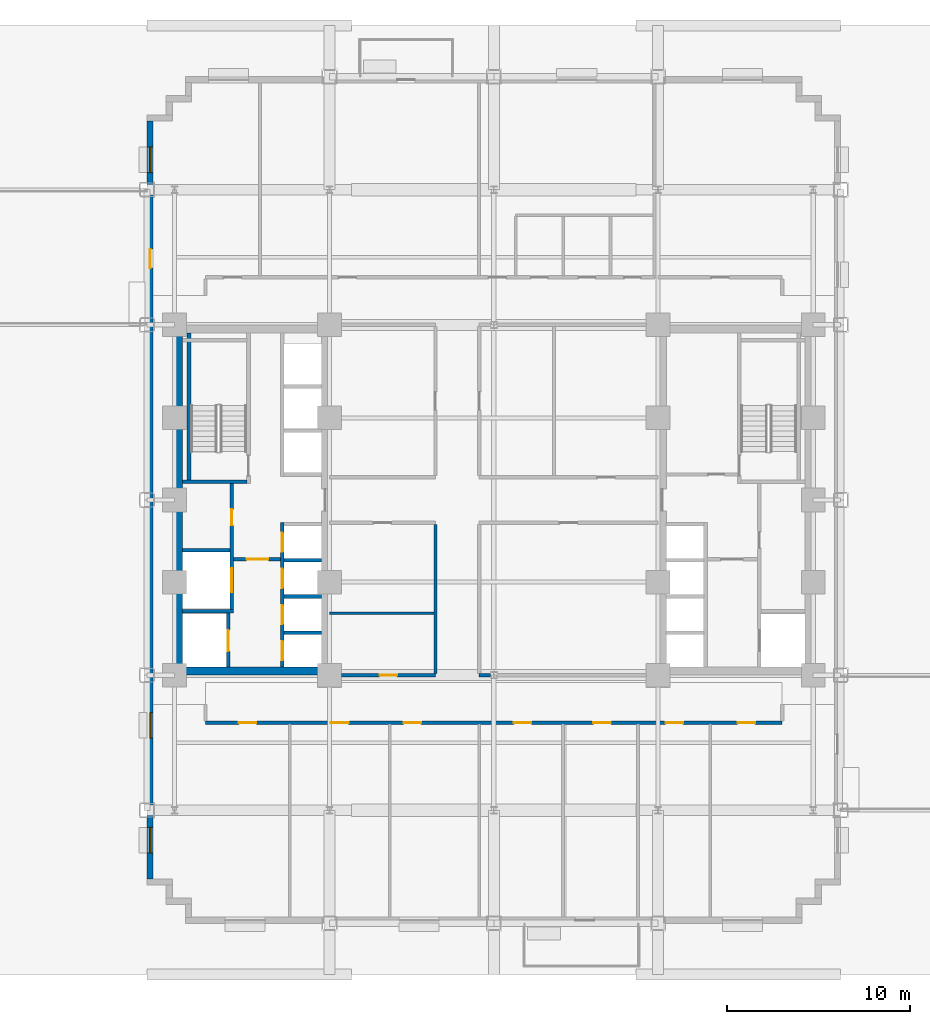
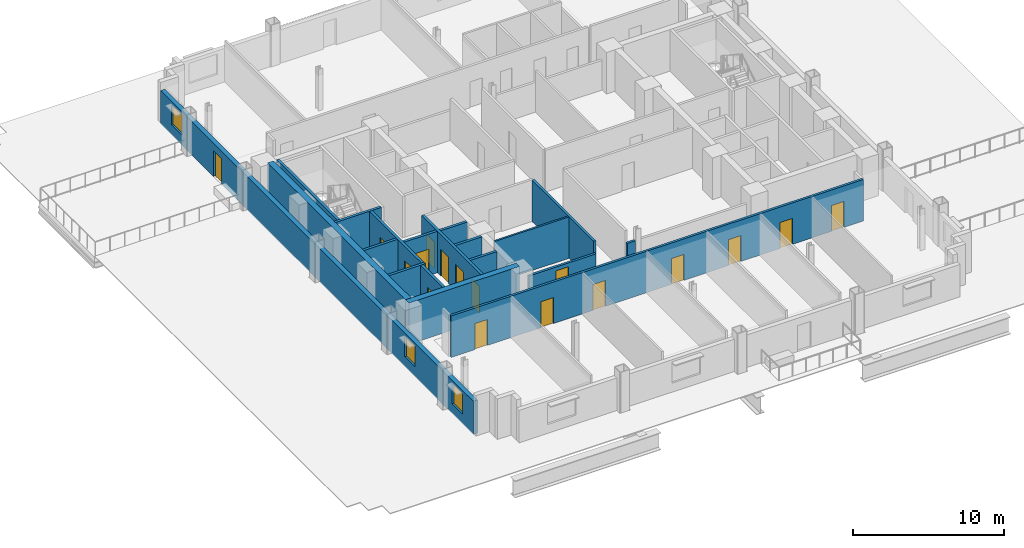
# One storey, part 5 of 13: 19 walls, 17 doors, 3 windows, 20 openings.
"""IFC4 building model written with IfcOpenShell, lengths in metres."""

from ifc_helpers import new_model, si_unit, direction, frame, frame_2d, origin, place, context, subcontext, project, spatial, rectangle, extrude, source, transform, mapped, material, layer, layer_set, type_object, type_shapes, element, fill, save


model = new_model("IFC4")

# Units and contexts
model_context = context("Model", 3, precision=1e-05, world=origin(), true_north=direction((0.0, 1.0)))
body_context = subcontext(model_context, "Body", "Model", "MODEL_VIEW")
ifc_project = project(units=[si_unit("LENGTHUNIT", "METRE"), si_unit("AREAUNIT", "SQUARE_METRE"), si_unit("VOLUMEUNIT", "CUBIC_METRE"), si_unit("PLANEANGLEUNIT", "RADIAN"), si_unit("MASSUNIT", "GRAM", prefix="KILO")], contexts=[model_context])

# Site, building, storey
site_placement = place(None, origin())
site = spatial("IfcSite", under=ifc_project, at=site_placement, CompositionType="ELEMENT")
building_placement = place(site_placement, origin())
building = spatial("IfcBuilding", under=site, at=building_placement, Name="Nuvemarco Arch Tower", CompositionType="ELEMENT")
storey_placement = place(building_placement, frame((0.0, 0.0, 27.60009765625)))
storey = spatial("IfcBuildingStorey", under=building, at=storey_placement, Name="L06", CompositionType="ELEMENT", Elevation=27.60009765625)

# Wall, openings, door, windows
ifc_material_1 = material(Name="Precast concrete C45/55", Category="concrete")
ifc_layer_1 = layer(ifc_material_1, 0.340087890625, Name="EW-LOW-340")
ifc_layer_set_1 = layer_set([ifc_layer_1], Name="Precast concrete C45/55")
wall_type_1 = type_object("IfcWallType", Name="EW-LOW-340", PredefinedType="STANDARD", material=ifc_layer_set_1)
wall_1_placement = place(storey_placement, frame((-18.830078125, -20.763916015625, 0.0), z_axis=(0.0, 0.0, 1.0), x_axis=(0.0, 1.0, 0.0)))
wall_1 = element("IfcWall", 1, at=wall_1_placement, inside=storey, type_object=wall_type_1, Name="L06 exterior precast facade wall 16", PredefinedType="STANDARD", context=body_context, shape_type="SweptSolid", body=[
    extrude(rectangle(XDim=41.52783203125, YDim=0.340087890625, at=frame_2d((20.763916015625, 0.0))), origin(), (0.0, 0.0, 1.0), 2.704833984375),
])
opening_1_placement = place(wall_1_placement, frame((33.464111328125, 0.0, 0.0)))
opening_1 = element("IfcOpeningElement", 2, at=opening_1_placement, cuts=wall_1, Name="Opening ED-5", PredefinedType="OPENING", context=body_context, shape_type="SweptSolid", body=[
    extrude(rectangle(XDim=1.050048828125, YDim=2.10009765625, at=frame_2d((0.52490234375, 1.050048828125))), frame((0.0, 0.179931640625, 0.0), z_axis=(0.0, -1.0, 0.0), x_axis=(1.0, 0.0, 0.0)), (0.0, 0.0, 1.0), 0.360107421875),
])
opening_2_placement = place(wall_1_placement, frame((1.42041015625, 0.0, 0.800048828125)))
opening_2 = element("IfcOpeningElement", 3, at=opening_2_placement, cuts=wall_1, Name="Opening WN-4", PredefinedType="OPENING", context=body_context, shape_type="SweptSolid", body=[
    extrude(rectangle(XDim=1.39990234375, YDim=1.64990234375, at=frame_2d((0.699951171875, 0.824951171875))), frame((0.0, 0.179931640625, 0.0), z_axis=(0.0, -1.0, 0.0), x_axis=(1.0, 0.0, 0.0)), (0.0, 0.0, 1.0), 0.360107421875),
])
opening_3_placement = place(wall_1_placement, frame((7.71142578125, 0.0, 0.800048828125)))
opening_3 = element("IfcOpeningElement", 4, at=opening_3_placement, cuts=wall_1, Name="Opening WN-4", PredefinedType="OPENING", context=body_context, shape_type="SweptSolid", body=[
    extrude(rectangle(XDim=1.39990234375, YDim=1.64990234375, at=frame_2d((0.699951171875, 0.824951171875))), frame((0.0, 0.179931640625, 0.0), z_axis=(0.0, -1.0, 0.0), x_axis=(1.0, 0.0, 0.0)), (0.0, 0.0, 1.0), 0.360107421875),
])
opening_4_placement = place(wall_1_placement, frame((38.70751953125, 0.0, 0.800048828125)))
opening_4 = element("IfcOpeningElement", 5, at=opening_4_placement, cuts=wall_1, Name="Opening WN-4", PredefinedType="OPENING", context=body_context, shape_type="SweptSolid", body=[
    extrude(rectangle(XDim=1.39990234375, YDim=1.64990234375, at=frame_2d((0.699951171875, 0.824951171875))), frame((0.0, 0.179931640625, 0.0), z_axis=(0.0, -1.0, 0.0), x_axis=(1.0, 0.0, 0.0)), (0.0, 0.0, 1.0), 0.360107421875),
])
ifc_material_2 = material(Name="Anodised bronze and laminated glass", Category="glass")
door_type_1 = type_object("IfcDoorType", Name="DR-EXT-TERR", OperationType="NOTDEFINED", PredefinedType="DOOR", material=ifc_material_2)
shared_shape_1 = source(origin(), body_context, "Body", "SweptSolid", [
    extrude(rectangle(XDim=1.050048828125, YDim=2.10009765625, at=frame_2d((0.52490234375, 1.050048828125))), frame((0.0, 0.02490234375, 0.0), z_axis=(0.0, -1.0, 0.0), x_axis=(1.0, 0.0, 0.0)), (0.0, 0.0, 1.0), 0.050048828125),
])
type_shapes(door_type_1, [shared_shape_1])
door_1_placement = place(opening_1_placement, origin())
door_1 = element("IfcDoor", 6, at=door_1_placement, inside=storey, type_object=door_type_1, Name="L06 setback terrace access door", OperationType="SINGLE_SWING_LEFT", OverallHeight=2.10009765625, OverallWidth=1.050048828125, PredefinedType="DOOR", context=body_context, shape_type="MappedRepresentation", body=[
    mapped(shared_shape_1, transform((0.0, 0.0, 0.0), scale=1.0)),
])
fill(opening_1, door_1)
ifc_material_3 = material(Name="Insulated solar-control glass", Category="glass")
window_type = type_object("IfcWindowType", Name="WN-LOW-1400x1650", PartitioningType="SINGLE_PANEL", PredefinedType="WINDOW", material=ifc_material_3)
shared_shape_2 = source(origin(), body_context, "Body", "SweptSolid", [
    extrude(rectangle(XDim=1.39990234375, YDim=1.64990234375, at=frame_2d((0.699951171875, 0.824951171875))), frame((0.0, 0.030029296875, 0.0), z_axis=(0.0, -1.0, 0.0), x_axis=(1.0, 0.0, 0.0)), (0.0, 0.0, 1.0), 0.06005859375),
])
type_shapes(window_type, [shared_shape_2])
window_1_placement = place(opening_2_placement, origin())
window_1 = element("IfcWindow", 7, at=window_1_placement, inside=storey, type_object=window_type, Name="L06 punched facade window 1", OverallHeight=1.64990234375, OverallWidth=1.39990234375, PartitioningType="SINGLE_PANEL", PredefinedType="WINDOW", context=body_context, shape_type="MappedRepresentation", body=[
    mapped(shared_shape_2, transform((0.0, 0.0, 0.0), scale=1.0)),
])
fill(opening_2, window_1)
window_2_placement = place(opening_3_placement, origin())
window_2 = element("IfcWindow", 8, at=window_2_placement, inside=storey, type_object=window_type, Name="L06 punched facade window 2", OverallHeight=1.64990234375, OverallWidth=1.39990234375, PartitioningType="SINGLE_PANEL", PredefinedType="WINDOW", context=body_context, shape_type="MappedRepresentation", body=[
    mapped(shared_shape_2, transform((0.0, 0.0, 0.0), scale=1.0)),
])
fill(opening_3, window_2)
window_3_placement = place(opening_4_placement, origin())
window_3 = element("IfcWindow", 9, at=window_3_placement, inside=storey, type_object=window_type, Name="L06 punched facade window 8", OverallHeight=1.64990234375, OverallWidth=1.39990234375, PartitioningType="SINGLE_PANEL", PredefinedType="WINDOW", context=body_context, shape_type="MappedRepresentation", body=[
    mapped(shared_shape_2, transform((0.0, 0.0, 0.0), scale=1.0)),
])
fill(opening_4, window_3)

# Walls
ifc_material_4 = material(Name="Concrete C60/75", Category="concrete")
ifc_layer_2 = layer(ifc_material_4, 0.449951171875, Name="WL-CORE-450")
ifc_layer_set_2 = layer_set([ifc_layer_2], Name="Concrete C60/75")
wall_type_2 = type_object("IfcWallType", Name="WL-CORE-450", PredefinedType="SHEAR", material=ifc_layer_set_2)
wall_2_placement = place(storey_placement, frame((-17.5, -9.375, 0.0), z_axis=(0.0, 0.0, 1.0), x_axis=(1.0, 0.0, 0.0)))
element("IfcWall", 10, at=wall_2_placement, inside=storey, type_object=wall_type_2, Name="L06 W-core shear wall S", PredefinedType="SHEAR", context=body_context, shape_type="SweptSolid", body=[
    extrude(rectangle(XDim=8.5, YDim=0.449951171875, at=frame_2d((4.25, 0.0))), origin(), (0.0, 0.0, 1.0), 3.369873046875),
])
wall_3_placement = place(storey_placement, frame((-17.27490234375, -9.155029296875, 0.0), z_axis=(0.0, 0.0, 1.0), x_axis=(0.0, 1.0, 0.0)))
element("IfcWall", 11, at=wall_3_placement, inside=storey, type_object=wall_type_2, Name="L06 W-core shear wall W", PredefinedType="SHEAR", context=body_context, shape_type="SweptSolid", body=[
    extrude(rectangle(XDim=18.31005859375, YDim=0.449951171875, at=frame_2d((9.155029296875, 0.0))), origin(), (0.0, 0.0, 1.0), 3.369873046875),
])

# Wall, openings, doors
ifc_material_5 = material(Name="Fire-rated gypsum drywall partition")
ifc_layer_3 = layer(ifc_material_5, 0.179931640625, Name="WL-CORR-180")
ifc_layer_set_3 = layer_set([ifc_layer_3], Name="Fire-rated gypsum drywall partition")
wall_type_3 = type_object("IfcWallType", Name="WL-CORR-180", PredefinedType="PARTITIONING", material=ifc_layer_set_3)
wall_4_placement = place(storey_placement, frame((-15.800048828125, -12.199951171875, 0.0), z_axis=(0.0, 0.0, 1.0), x_axis=(1.0, 0.0, 0.0)))
wall_4 = element("IfcWall", 12, at=wall_4_placement, inside=storey, type_object=wall_type_3, Name="L06 interior wall IW-L06-001", PredefinedType="PARTITIONING", context=body_context, shape_type="SweptSolid", body=[
    extrude(rectangle(XDim=31.60009765625, YDim=0.179931640625, at=frame_2d((15.800048828125, 0.0))), origin(), (0.0, 0.0, 1.0), 3.35986328125),
])
opening_5_placement = place(wall_4_placement, frame((6.8798828125, 0.0, 0.0)))
opening_5 = element("IfcOpeningElement", 13, at=opening_5_placement, cuts=wall_4, Name="Opening FD-5", PredefinedType="OPENING", context=body_context, shape_type="SweptSolid", body=[
    extrude(rectangle(XDim=0.9599609375, YDim=2.10009765625, at=frame_2d((0.47998046875, 1.050048828125))), frame((0.0, 0.099853515625, 0.0), z_axis=(0.0, -1.0, 0.0), x_axis=(1.0, 0.0, 0.0)), (0.0, 0.0, 1.0), 0.199951171875),
])
opening_6_placement = place(wall_4_placement, frame((16.89501953125, 0.0, 0.0)))
opening_6 = element("IfcOpeningElement", 14, at=opening_6_placement, cuts=wall_4, Name="Opening FD-5", PredefinedType="OPENING", context=body_context, shape_type="SweptSolid", body=[
    extrude(rectangle(XDim=0.9599609375, YDim=2.10009765625, at=frame_2d((0.47998046875, 1.050048828125))), frame((0.0, 0.099853515625, 0.0), z_axis=(0.0, -1.0, 0.0), x_axis=(1.0, 0.0, 0.0)), (0.0, 0.0, 1.0), 0.199951171875),
])
opening_7_placement = place(wall_4_placement, frame((1.8349609375, 0.0, 0.0)))
opening_7 = element("IfcOpeningElement", 15, at=opening_7_placement, cuts=wall_4, Name="Opening FD-5", PredefinedType="OPENING", context=body_context, shape_type="SweptSolid", body=[
    extrude(rectangle(XDim=0.9599609375, YDim=2.10009765625, at=frame_2d((0.47998046875, 1.050048828125))), frame((0.0, 0.099853515625, 0.0), z_axis=(0.0, -1.0, 0.0), x_axis=(1.0, 0.0, 0.0)), (0.0, 0.0, 1.0), 0.199951171875),
])
opening_8_placement = place(wall_4_placement, frame((21.25, 0.0, 0.0)))
opening_8 = element("IfcOpeningElement", 16, at=opening_8_placement, cuts=wall_4, Name="Opening FD-5", PredefinedType="OPENING", context=body_context, shape_type="SweptSolid", body=[
    extrude(rectangle(XDim=0.9599609375, YDim=2.10009765625, at=frame_2d((0.47998046875, 1.050048828125))), frame((0.0, 0.099853515625, 0.0), z_axis=(0.0, -1.0, 0.0), x_axis=(1.0, 0.0, 0.0)), (0.0, 0.0, 1.0), 0.199951171875),
])
opening_9_placement = place(wall_4_placement, frame((25.2099609375, 0.0, 0.0)))
opening_9 = element("IfcOpeningElement", 17, at=opening_9_placement, cuts=wall_4, Name="Opening FD-5", PredefinedType="OPENING", context=body_context, shape_type="SweptSolid", body=[
    extrude(rectangle(XDim=0.9599609375, YDim=2.10009765625, at=frame_2d((0.47998046875, 1.050048828125))), frame((0.0, 0.099853515625, 0.0), z_axis=(0.0, -1.0, 0.0), x_axis=(1.0, 0.0, 0.0)), (0.0, 0.0, 1.0), 0.199951171875),
])
opening_10_placement = place(wall_4_placement, frame((29.155029296875, 0.0, 0.0)))
opening_10 = element("IfcOpeningElement", 18, at=opening_10_placement, cuts=wall_4, Name="Opening FD-5", PredefinedType="OPENING", context=body_context, shape_type="SweptSolid", body=[
    extrude(rectangle(XDim=0.9599609375, YDim=2.10009765625, at=frame_2d((0.47998046875, 1.050048828125))), frame((0.0, 0.099853515625, 0.0), z_axis=(0.0, -1.0, 0.0), x_axis=(1.0, 0.0, 0.0)), (0.0, 0.0, 1.0), 0.199951171875),
])
opening_11_placement = place(wall_4_placement, frame((10.864990234375, 0.0, 0.0)))
opening_11 = element("IfcOpeningElement", 19, at=opening_11_placement, cuts=wall_4, Name="Opening FD-5", PredefinedType="OPENING", context=body_context, shape_type="SweptSolid", body=[
    extrude(rectangle(XDim=0.9599609375, YDim=2.10009765625, at=frame_2d((0.47998046875, 1.050048828125))), frame((0.0, 0.099853515625, 0.0), z_axis=(0.0, -1.0, 0.0), x_axis=(1.0, 0.0, 0.0)), (0.0, 0.0, 1.0), 0.199951171875),
])
ifc_material_6 = material(Name="Timber fire door", Category="wood")
door_type_2 = type_object("IfcDoorType", Name="DR-CORR-FD", OperationType="NOTDEFINED", PredefinedType="DOOR", material=ifc_material_6)
shared_shape_3 = source(origin(), body_context, "Body", "SweptSolid", [
    extrude(rectangle(XDim=0.9599609375, YDim=2.10009765625, at=frame_2d((0.47998046875, 1.050048828125))), frame((0.0, 0.02490234375, 0.0), z_axis=(0.0, -1.0, 0.0), x_axis=(1.0, 0.0, 0.0)), (0.0, 0.0, 1.0), 0.050048828125),
])
type_shapes(door_type_2, [shared_shape_3])
door_2_placement = place(opening_5_placement, origin())
door_2 = element("IfcDoor", 20, at=door_2_placement, inside=storey, type_object=door_type_2, Name="L06 door DR-L06-S_2", OperationType="SINGLE_SWING_RIGHT", OverallHeight=2.10009765625, OverallWidth=0.9599609375, PredefinedType="DOOR", context=body_context, shape_type="MappedRepresentation", body=[
    mapped(shared_shape_3, transform((0.0, 0.0, 0.0), scale=1.0)),
])
fill(opening_5, door_2)
door_3_placement = place(opening_6_placement, origin())
door_3 = element("IfcDoor", 21, at=door_3_placement, inside=storey, type_object=door_type_2, Name="L06 door DR-L06-S_4", OperationType="SINGLE_SWING_RIGHT", OverallHeight=2.10009765625, OverallWidth=0.9599609375, PredefinedType="DOOR", context=body_context, shape_type="MappedRepresentation", body=[
    mapped(shared_shape_3, transform((0.0, 0.0, 0.0), scale=1.0)),
])
fill(opening_6, door_3)
door_4_placement = place(opening_7_placement, origin())
door_4 = element("IfcDoor", 22, at=door_4_placement, inside=storey, type_object=door_type_2, Name="L06 door DR-L06-S_1", OperationType="SINGLE_SWING_LEFT", OverallHeight=2.10009765625, OverallWidth=0.9599609375, PredefinedType="DOOR", context=body_context, shape_type="MappedRepresentation", body=[
    mapped(shared_shape_3, transform((0.0, 0.0, 0.0), scale=1.0)),
])
fill(opening_7, door_4)
door_5_placement = place(opening_8_placement, origin())
door_5 = element("IfcDoor", 23, at=door_5_placement, inside=storey, type_object=door_type_2, Name="L06 door DR-L06-S_5", OperationType="SINGLE_SWING_RIGHT", OverallHeight=2.10009765625, OverallWidth=0.9599609375, PredefinedType="DOOR", context=body_context, shape_type="MappedRepresentation", body=[
    mapped(shared_shape_3, transform((0.0, 0.0, 0.0), scale=1.0)),
])
fill(opening_8, door_5)
door_6_placement = place(opening_9_placement, origin())
door_6 = element("IfcDoor", 24, at=door_6_placement, inside=storey, type_object=door_type_2, Name="L06 door DR-L06-S_6", OperationType="SINGLE_SWING_LEFT", OverallHeight=2.10009765625, OverallWidth=0.9599609375, PredefinedType="DOOR", context=body_context, shape_type="MappedRepresentation", body=[
    mapped(shared_shape_3, transform((0.0, 0.0, 0.0), scale=1.0)),
])
fill(opening_9, door_6)
door_7_placement = place(opening_10_placement, origin())
door_7 = element("IfcDoor", 25, at=door_7_placement, inside=storey, type_object=door_type_2, Name="L06 door DR-L06-S_7", OperationType="SINGLE_SWING_RIGHT", OverallHeight=2.10009765625, OverallWidth=0.9599609375, PredefinedType="DOOR", context=body_context, shape_type="MappedRepresentation", body=[
    mapped(shared_shape_3, transform((0.0, 0.0, 0.0), scale=1.0)),
])
fill(opening_10, door_7)
door_8_placement = place(opening_11_placement, origin())
door_8 = element("IfcDoor", 26, at=door_8_placement, inside=storey, type_object=door_type_2, Name="L06 door DR-L06-S_3", OperationType="SINGLE_SWING_RIGHT", OverallHeight=2.10009765625, OverallWidth=0.9599609375, PredefinedType="DOOR", context=body_context, shape_type="MappedRepresentation", body=[
    mapped(shared_shape_3, transform((0.0, 0.0, 0.0), scale=1.0)),
])
fill(opening_11, door_8)

# Wall, opening, door
wall_5_placement = place(storey_placement, frame((-8.35400390625, -9.60009765625, 0.0), z_axis=(0.0, 0.0, 1.0), x_axis=(1.0, 0.0, 0.0)))
wall_5 = element("IfcWall", 27, at=wall_5_placement, inside=storey, type_object=wall_type_3, Name="L06 interior wall IW-L06-002", PredefinedType="PARTITIONING", context=body_context, shape_type="SweptSolid", body=[
    extrude(rectangle(XDim=5.154052734375, YDim=0.179931640625, at=frame_2d((2.5771484375, 0.0))), origin(), (0.0, 0.0, 1.0), 2.40478515625),
])
opening_12_placement = place(wall_5_placement, frame((2.096923828125, 0.0, 0.0)))
opening_12 = element("IfcOpeningElement", 28, at=opening_12_placement, cuts=wall_5, Name="Opening FD-5", PredefinedType="OPENING", context=body_context, shape_type="SweptSolid", body=[
    extrude(rectangle(XDim=0.9599609375, YDim=2.10009765625, at=frame_2d((0.47998046875, 1.050048828125))), frame((0.0, 0.099853515625, 0.0), z_axis=(0.0, -1.0, 0.0), x_axis=(1.0, 0.0, 0.0)), (0.0, 0.0, 1.0), 0.199951171875),
])
door_9_placement = place(opening_12_placement, origin())
door_9 = element("IfcDoor", 29, at=door_9_placement, inside=storey, type_object=door_type_2, Name="L06 door DR-L06-C_SW2", OperationType="SINGLE_SWING_LEFT", OverallHeight=2.10009765625, OverallWidth=0.9599609375, PredefinedType="DOOR", context=body_context, shape_type="MappedRepresentation", body=[
    mapped(shared_shape_3, transform((0.0, 0.0, 0.0), scale=1.0)),
])
fill(opening_12, door_9)

# Walls
wall_6_placement = place(storey_placement, frame((-0.800048828125, -9.60009765625, 0.0), z_axis=(0.0, 0.0, 1.0), x_axis=(1.0, 0.0, 0.0)))
element("IfcWall", 30, at=wall_6_placement, inside=storey, type_object=wall_type_3, Name="L06 interior wall IW-L06-003", PredefinedType="PARTITIONING", context=body_context, shape_type="SweptSolid", body=[
    extrude(rectangle(XDim=0.6240234375, YDim=0.179931640625, at=frame_2d((0.31201171875, 0.0))), origin(), (0.0, 0.0, 1.0), 2.40478515625),
])
wall_7_placement = place(storey_placement, frame((-3.199951171875, -9.513916015625, 0.0), z_axis=(0.0, 0.0, 1.0), x_axis=(0.0, 1.0, 0.0)))
element("IfcWall", 31, at=wall_7_placement, inside=storey, type_object=wall_type_3, Name="L06 interior wall IW-L06-021", PredefinedType="PARTITIONING", context=body_context, shape_type="SweptSolid", body=[
    extrude(rectangle(XDim=8.177978515625, YDim=0.179931640625, at=frame_2d((4.0888671875, 0.0))), origin(), (0.0, 0.0, 1.0), 3.35986328125),
])
ifc_material_7 = material(Name="Gypsum plasterboard partition")
ifc_layer_4 = layer(ifc_material_7, 0.139892578125, Name="WL-ROOM-140")
ifc_layer_set_4 = layer_set([ifc_layer_4], Name="Gypsum plasterboard partition")
wall_type_4 = type_object("IfcWallType", Name="WL-ROOM-140", PredefinedType="PARTITIONING", material=ifc_layer_set_4)
wall_8_placement = place(storey_placement, frame((-9.0, -6.199951171875, 0.0), z_axis=(0.0, 0.0, 1.0), x_axis=(1.0, 0.0, 0.0)))
element("IfcWall", 32, at=wall_8_placement, inside=storey, type_object=wall_type_4, Name="L06 interior wall IW-L06-005", PredefinedType="PARTITIONING", context=body_context, shape_type="SweptSolid", body=[
    extrude(rectangle(XDim=5.714111328125, YDim=0.139892578125, at=frame_2d((2.85693359375, 0.0))), origin(), (0.0, 0.0, 1.0), 3.35986328125),
])
ifc_material_8 = material(Name="Concrete C50/60", Category="concrete")
ifc_layer_5 = layer(ifc_material_8, 0.199951171875, Name="WL-SHAFT-220")
ifc_layer_set_5 = layer_set([ifc_layer_5], Name="Concrete C50/60")
wall_type_5 = type_object("IfcWallType", Name="WL-SHAFT-220", PredefinedType="SHEAR", material=ifc_layer_set_5)
wall_9_placement = place(storey_placement, frame((-17.054931640625, 1.0, 0.0), z_axis=(0.0, 0.0, 1.0), x_axis=(1.0, 0.0, 0.0)))
element("IfcWall", 33, at=wall_9_placement, inside=storey, type_object=wall_type_5, Name="L06 structural shaft wall SW-L06-W-ST1S", PredefinedType="SHEAR", context=body_context, shape_type="SweptSolid", body=[
    extrude(rectangle(XDim=3.52001953125, YDim=0.199951171875, at=frame_2d((1.760009765625, 0.0))), origin(), (0.0, 0.0, 1.0), 3.369873046875),
])
wall_10_placement = place(storey_placement, frame((-16.699951171875, 1.094970703125, 0.0), z_axis=(0.0, 0.0, 1.0), x_axis=(0.0, 1.0, 0.0)))
element("IfcWall", 34, at=wall_10_placement, inside=storey, type_object=wall_type_5, Name="L06 structural shaft wall SW-L06-W-ST1W", PredefinedType="SHEAR", context=body_context, shape_type="SweptSolid", body=[
    extrude(rectangle(XDim=8.06005859375, YDim=0.199951171875, at=frame_2d((4.030029296875, 0.0))), origin(), (0.0, 0.0, 1.0), 3.369873046875),
])

# Wall, opening, door
wall_11_placement = place(storey_placement, frame((-14.550048828125, -9.155029296875, 0.0), z_axis=(0.0, 0.0, 1.0), x_axis=(0.0, 1.0, 0.0)))
wall_11 = element("IfcWall", 35, at=wall_11_placement, inside=storey, type_object=wall_type_5, Name="L06 structural shaft wall SW-L06-W-SHE", PredefinedType="SHEAR", context=body_context, shape_type="SweptSolid", body=[
    extrude(rectangle(XDim=2.9599609375, YDim=0.199951171875, at=frame_2d((1.47998046875, 0.0))), origin(), (0.0, 0.0, 1.0), 3.369873046875),
])
opening_13_placement = place(wall_11_placement, frame((0.8798828125, 0.0, 0.0)))
opening_13 = element("IfcOpeningElement", 36, at=opening_13_placement, cuts=wall_11, Name="Opening LD-2", PredefinedType="OPENING", context=body_context, shape_type="SweptSolid", body=[
    extrude(rectangle(XDim=1.14990234375, YDim=2.14990234375, at=frame_2d((0.574951171875, 1.074951171875))), frame((0.0, 0.10986328125, 0.0), z_axis=(0.0, -1.0, 0.0), x_axis=(1.0, 0.0, 0.0)), (0.0, 0.0, 1.0), 0.219970703125),
])
ifc_material_9 = material(Name="Stainless steel lift door", Category="steel")
door_type_3 = type_object("IfcDoorType", Name="DR-LIFT-FIRE", OperationType="DOUBLE_DOOR_SLIDING", PredefinedType="DOOR", material=ifc_material_9)
shared_shape_4 = source(origin(), body_context, "Body", "SweptSolid", [
    extrude(rectangle(XDim=1.14990234375, YDim=2.14990234375, at=frame_2d((0.574951171875, 1.074951171875))), frame((0.0, 0.02490234375, 0.0), z_axis=(0.0, -1.0, 0.0), x_axis=(1.0, 0.0, 0.0)), (0.0, 0.0, 1.0), 0.050048828125),
])
type_shapes(door_type_3, [shared_shape_4])
door_10_placement = place(opening_13_placement, origin())
door_10 = element("IfcDoor", 37, at=door_10_placement, inside=storey, type_object=door_type_3, Name="L06 Lift landing sliding door FFL-1", OperationType="DOUBLE_DOOR_SLIDING", OverallHeight=2.14990234375, OverallWidth=1.14990234375, PredefinedType="DOOR", context=body_context, shape_type="MappedRepresentation", body=[
    mapped(shared_shape_4, transform((0.0, 0.0, 0.0), scale=1.0)),
])
fill(opening_13, door_10)

# Wall, openings, doors
wall_12_placement = place(storey_placement, frame((-14.35009765625, -6.199951171875, 0.0), z_axis=(0.0, 0.0, 1.0), x_axis=(0.0, 1.0, 0.0)))
wall_12 = element("IfcWall", 38, at=wall_12_placement, inside=storey, type_object=wall_type_5, Name="L06 structural shaft wall SW-L06-W-SVE", PredefinedType="SHEAR", context=body_context, shape_type="SweptSolid", body=[
    extrude(rectangle(XDim=7.10498046875, YDim=0.199951171875, at=frame_2d((3.552490234375, 0.0))), origin(), (0.0, 0.0, 1.0), 3.369873046875),
])
opening_14_placement = place(wall_12_placement, frame((5.68994140625, 0.0, 0.0), z_axis=(0.0, 0.0, 1.0), x_axis=(-1.0, 0.0, 0.0)))
opening_14 = element("IfcOpeningElement", 39, at=opening_14_placement, cuts=wall_12, Name="Opening FD-4", PredefinedType="OPENING", context=body_context, shape_type="SweptSolid", body=[
    extrude(rectangle(XDim=0.8798828125, YDim=2.10009765625, at=frame_2d((0.43994140625, 1.050048828125))), frame((0.0, 0.10986328125, 0.0), z_axis=(0.0, -1.0, 0.0), x_axis=(1.0, 0.0, 0.0)), (0.0, 0.0, 1.0), 0.219970703125),
])
opening_15_placement = place(wall_12_placement, frame((1.14990234375, 0.0, 0.0)))
opening_15 = element("IfcOpeningElement", 40, at=opening_15_placement, cuts=wall_12, Name="Opening LD-3", PredefinedType="OPENING", context=body_context, shape_type="SweptSolid", body=[
    extrude(rectangle(XDim=1.300048828125, YDim=2.199951171875, at=frame_2d((0.64990234375, 1.10009765625))), frame((0.0, 0.10986328125, 0.0), z_axis=(0.0, -1.0, 0.0), x_axis=(1.0, 0.0, 0.0)), (0.0, 0.0, 1.0), 0.219970703125),
])
ifc_material_10 = material(Name="Anodised steel fire door", Category="steel")
door_type_4 = type_object("IfcDoorType", Name="DR-RISER-FD", OperationType="NOTDEFINED", PredefinedType="DOOR", material=ifc_material_10)
shared_shape_5 = source(origin(), body_context, "Body", "SweptSolid", [
    extrude(rectangle(XDim=0.8798828125, YDim=2.10009765625, at=frame_2d((0.43994140625, 1.050048828125))), frame((0.0, 0.02490234375, 0.0), z_axis=(0.0, -1.0, 0.0), x_axis=(1.0, 0.0, 0.0)), (0.0, 0.0, 1.0), 0.050048828125),
])
type_shapes(door_type_4, [shared_shape_5])
door_11_placement = place(opening_14_placement, origin())
door_11 = element("IfcDoor", 41, at=door_11_placement, inside=storey, type_object=door_type_4, Name="L06 door FD-L06-WRIS", OperationType="SINGLE_SWING_RIGHT", OverallHeight=2.10009765625, OverallWidth=0.8798828125, PredefinedType="DOOR", context=body_context, shape_type="MappedRepresentation", body=[
    mapped(shared_shape_5, transform((0.0, 0.0, 0.0), scale=1.0)),
])
fill(opening_14, door_11)
door_type_5 = type_object("IfcDoorType", Name="DR-LIFT-SERV", OperationType="DOUBLE_DOOR_SLIDING", PredefinedType="DOOR", material=ifc_material_9)
shared_shape_6 = source(origin(), body_context, "Body", "SweptSolid", [
    extrude(rectangle(XDim=1.300048828125, YDim=2.199951171875, at=frame_2d((0.64990234375, 1.10009765625))), frame((0.0, 0.02490234375, 0.0), z_axis=(0.0, -1.0, 0.0), x_axis=(1.0, 0.0, 0.0)), (0.0, 0.0, 1.0), 0.050048828125),
])
type_shapes(door_type_5, [shared_shape_6])
door_12_placement = place(opening_15_placement, origin())
door_12 = element("IfcDoor", 42, at=door_12_placement, inside=storey, type_object=door_type_5, Name="L06 Lift landing sliding door SVL-1", OperationType="DOUBLE_DOOR_SLIDING", OverallHeight=2.199951171875, OverallWidth=1.300048828125, PredefinedType="DOOR", context=body_context, shape_type="MappedRepresentation", body=[
    mapped(shared_shape_6, transform((0.0, 0.0, 0.0), scale=1.0)),
])
fill(opening_15, door_12)

# Walls
wall_13_placement = place(storey_placement, frame((-17.054931640625, -6.10009765625, 0.0), z_axis=(0.0, 0.0, 1.0), x_axis=(1.0, 0.0, 0.0)))
element("IfcWall", 43, at=wall_13_placement, inside=storey, type_object=wall_type_5, Name="L06 structural shaft wall SW-L06-W-SH1", PredefinedType="SHEAR", context=body_context, shape_type="SweptSolid", body=[
    extrude(rectangle(XDim=2.804931640625, YDim=0.199951171875, at=frame_2d((1.40234375, 0.0))), origin(), (0.0, 0.0, 1.0), 3.369873046875),
])
wall_14_placement = place(storey_placement, frame((-17.054931640625, -2.75, 0.0), z_axis=(0.0, 0.0, 1.0), x_axis=(1.0, 0.0, 0.0)))
element("IfcWall", 44, at=wall_14_placement, inside=storey, type_object=wall_type_5, Name="L06 structural shaft wall SW-L06-W-SH2", PredefinedType="SHEAR", context=body_context, shape_type="SweptSolid", body=[
    extrude(rectangle(XDim=2.60986328125, YDim=0.199951171875, at=frame_2d((1.304931640625, 0.0))), origin(), (0.0, 0.0, 1.0), 3.369873046875),
])

# Wall, openings, doors
wall_15_placement = place(storey_placement, frame((-11.60009765625, -9.155029296875, 0.0), z_axis=(0.0, 0.0, 1.0), x_axis=(0.0, 1.0, 0.0)))
wall_15 = element("IfcWall", 45, at=wall_15_placement, inside=storey, type_object=wall_type_5, Name="L06 structural shaft wall SW-L06-W-PLW", PredefinedType="SHEAR", context=body_context, shape_type="SweptSolid", body=[
    extrude(rectangle(XDim=7.925048828125, YDim=0.199951171875, at=frame_2d((3.96240234375, 0.0))), origin(), (0.0, 0.0, 1.0), 3.369873046875),
])
opening_16_placement = place(wall_15_placement, frame((0.3701171875, 0.0, 0.0)))
opening_16 = element("IfcOpeningElement", 46, at=opening_16_placement, cuts=wall_15, Name="Opening LD-1", PredefinedType="OPENING", context=body_context, shape_type="SweptSolid", body=[
    extrude(rectangle(XDim=1.050048828125, YDim=2.14990234375, at=frame_2d((0.52490234375, 1.074951171875))), frame((0.0, 0.10986328125, 0.0), z_axis=(0.0, -1.0, 0.0), x_axis=(1.0, 0.0, 0.0)), (0.0, 0.0, 1.0), 0.219970703125),
])
opening_17_placement = place(wall_15_placement, frame((2.35009765625, 0.0, 0.0)))
opening_17 = element("IfcOpeningElement", 47, at=opening_17_placement, cuts=wall_15, Name="Opening LD-1", PredefinedType="OPENING", context=body_context, shape_type="SweptSolid", body=[
    extrude(rectangle(XDim=1.050048828125, YDim=2.14990234375, at=frame_2d((0.52490234375, 1.074951171875))), frame((0.0, 0.10986328125, 0.0), z_axis=(0.0, -1.0, 0.0), x_axis=(1.0, 0.0, 0.0)), (0.0, 0.0, 1.0), 0.219970703125),
])
opening_18_placement = place(wall_15_placement, frame((4.330078125, 0.0, 0.0)))
opening_18 = element("IfcOpeningElement", 48, at=opening_18_placement, cuts=wall_15, Name="Opening LD-1", PredefinedType="OPENING", context=body_context, shape_type="SweptSolid", body=[
    extrude(rectangle(XDim=1.050048828125, YDim=2.14990234375, at=frame_2d((0.52490234375, 1.074951171875))), frame((0.0, 0.10986328125, 0.0), z_axis=(0.0, -1.0, 0.0), x_axis=(1.0, 0.0, 0.0)), (0.0, 0.0, 1.0), 0.219970703125),
])
opening_19_placement = place(wall_15_placement, frame((6.31005859375, 0.0, 0.0)))
opening_19 = element("IfcOpeningElement", 49, at=opening_19_placement, cuts=wall_15, Name="Opening LD-1", PredefinedType="OPENING", context=body_context, shape_type="SweptSolid", body=[
    extrude(rectangle(XDim=1.050048828125, YDim=2.14990234375, at=frame_2d((0.52490234375, 1.074951171875))), frame((0.0, 0.10986328125, 0.0), z_axis=(0.0, -1.0, 0.0), x_axis=(1.0, 0.0, 0.0)), (0.0, 0.0, 1.0), 0.219970703125),
])
door_type_6 = type_object("IfcDoorType", Name="DR-LIFT-PASS", OperationType="DOUBLE_DOOR_SLIDING", PredefinedType="DOOR", material=ifc_material_9)
shared_shape_7 = source(origin(), body_context, "Body", "SweptSolid", [
    extrude(rectangle(XDim=1.050048828125, YDim=2.14990234375, at=frame_2d((0.52490234375, 1.074951171875))), frame((0.0, 0.02490234375, 0.0), z_axis=(0.0, -1.0, 0.0), x_axis=(1.0, 0.0, 0.0)), (0.0, 0.0, 1.0), 0.050048828125),
])
type_shapes(door_type_6, [shared_shape_7])
door_13_placement = place(opening_16_placement, origin())
door_13 = element("IfcDoor", 50, at=door_13_placement, inside=storey, type_object=door_type_6, Name="L06 Lift landing sliding door PL-1", OperationType="DOUBLE_DOOR_SLIDING", OverallHeight=2.14990234375, OverallWidth=1.050048828125, PredefinedType="DOOR", context=body_context, shape_type="MappedRepresentation", body=[
    mapped(shared_shape_7, transform((0.0, 0.0, 0.0), scale=1.0)),
])
fill(opening_16, door_13)
door_14_placement = place(opening_17_placement, origin())
door_14 = element("IfcDoor", 51, at=door_14_placement, inside=storey, type_object=door_type_6, Name="L06 Lift landing sliding door PL-2", OperationType="DOUBLE_DOOR_SLIDING", OverallHeight=2.14990234375, OverallWidth=1.050048828125, PredefinedType="DOOR", context=body_context, shape_type="MappedRepresentation", body=[
    mapped(shared_shape_7, transform((0.0, 0.0, 0.0), scale=1.0)),
])
fill(opening_17, door_14)
door_15_placement = place(opening_18_placement, origin())
door_15 = element("IfcDoor", 52, at=door_15_placement, inside=storey, type_object=door_type_6, Name="L06 Lift landing sliding door PL-3", OperationType="DOUBLE_DOOR_SLIDING", OverallHeight=2.14990234375, OverallWidth=1.050048828125, PredefinedType="DOOR", context=body_context, shape_type="MappedRepresentation", body=[
    mapped(shared_shape_7, transform((0.0, 0.0, 0.0), scale=1.0)),
])
fill(opening_18, door_15)
door_16_placement = place(opening_19_placement, origin())
door_16 = element("IfcDoor", 53, at=door_16_placement, inside=storey, type_object=door_type_6, Name="L06 Lift landing sliding door PL-4", OperationType="DOUBLE_DOOR_SLIDING", OverallHeight=2.14990234375, OverallWidth=1.050048828125, PredefinedType="DOOR", context=body_context, shape_type="MappedRepresentation", body=[
    mapped(shared_shape_7, transform((0.0, 0.0, 0.0), scale=1.0)),
])
fill(opening_19, door_16)

# Wall, opening, door
wall_16_placement = place(storey_placement, frame((-14.2548828125, -3.25, 0.0), z_axis=(0.0, 0.0, 1.0), x_axis=(1.0, 0.0, 0.0)))
wall_16 = element("IfcWall", 54, at=wall_16_placement, inside=storey, type_object=wall_type_5, Name="L06 structural shaft wall SW-L06-W-FFN", PredefinedType="SHEAR", context=body_context, shape_type="SweptSolid", body=[
    extrude(rectangle(XDim=2.559814453125, YDim=0.199951171875, at=frame_2d((1.27978515625, 0.0))), origin(), (0.0, 0.0, 1.0), 3.369873046875),
])
opening_20_placement = place(wall_16_placement, frame((0.705078125, 0.0, 0.0)))
opening_20 = element("IfcOpeningElement", 55, at=opening_20_placement, cuts=wall_16, Name="Opening FD-2", PredefinedType="OPENING", context=body_context, shape_type="SweptSolid", body=[
    extrude(rectangle(XDim=1.199951171875, YDim=2.14990234375, at=frame_2d((0.60009765625, 1.074951171875))), frame((0.0, 0.10986328125, 0.0), z_axis=(0.0, -1.0, 0.0), x_axis=(1.0, 0.0, 0.0)), (0.0, 0.0, 1.0), 0.219970703125),
])
door_type_7 = type_object("IfcDoorType", Name="DR-FFLOB-FD", OperationType="NOTDEFINED", PredefinedType="DOOR", material=ifc_material_10)
shared_shape_8 = source(origin(), body_context, "Body", "SweptSolid", [
    extrude(rectangle(XDim=1.199951171875, YDim=2.14990234375, at=frame_2d((0.60009765625, 1.074951171875))), frame((0.0, 0.02490234375, 0.0), z_axis=(0.0, -1.0, 0.0), x_axis=(1.0, 0.0, 0.0)), (0.0, 0.0, 1.0), 0.050048828125),
])
type_shapes(door_type_7, [shared_shape_8])
door_17_placement = place(opening_20_placement, origin())
door_17 = element("IfcDoor", 56, at=door_17_placement, inside=storey, type_object=door_type_7, Name="L06 door FD-L06-WFF1", OperationType="SINGLE_SWING_RIGHT", OverallHeight=2.14990234375, OverallWidth=1.199951171875, PredefinedType="DOOR", context=body_context, shape_type="MappedRepresentation", body=[
    mapped(shared_shape_8, transform((0.0, 0.0, 0.0), scale=1.0)),
])
fill(opening_20, door_17)

# Walls
for number, where, z_axis, x_axis, name in (
    (57, (-11.5048828125, -7.27001953125, 0.0), (0.0, 0.0, 1.0), (1.0, 0.0, 0.0), "L06 structural shaft wall SW-L06-W-PLD1"),
    (58, (-11.5048828125, -5.2900390625, 0.0), (0.0, 0.0, 1.0), (1.0, 0.0, 0.0), "L06 structural shaft wall SW-L06-W-PLD2"),
    (59, (-11.5048828125, -3.31005859375, 0.0), (0.0, 0.0, 1.0), (1.0, 0.0, 0.0), "L06 structural shaft wall SW-L06-W-PLD3"),
):
    element("IfcWall", number, at=place(storey_placement, frame(where, z_axis=z_axis, x_axis=x_axis)), inside=storey, type_object=wall_type_5, Name=name, PredefinedType="SHEAR", context=body_context, shape_type="SweptSolid", body=[
        extrude(rectangle(XDim=2.059814453125, YDim=0.199951171875, at=frame_2d((1.02978515625, 0.0))), origin(), (0.0, 0.0, 1.0), 3.369873046875),
    ])

save(model, "model.ifc")
